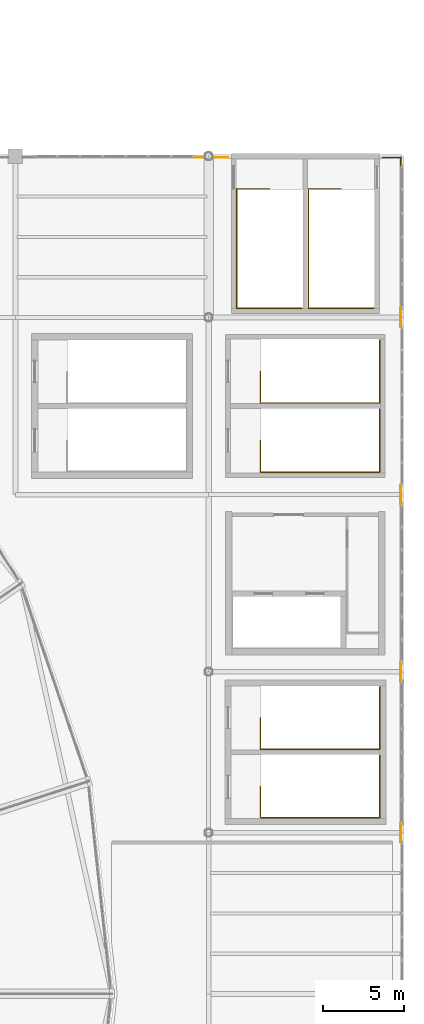
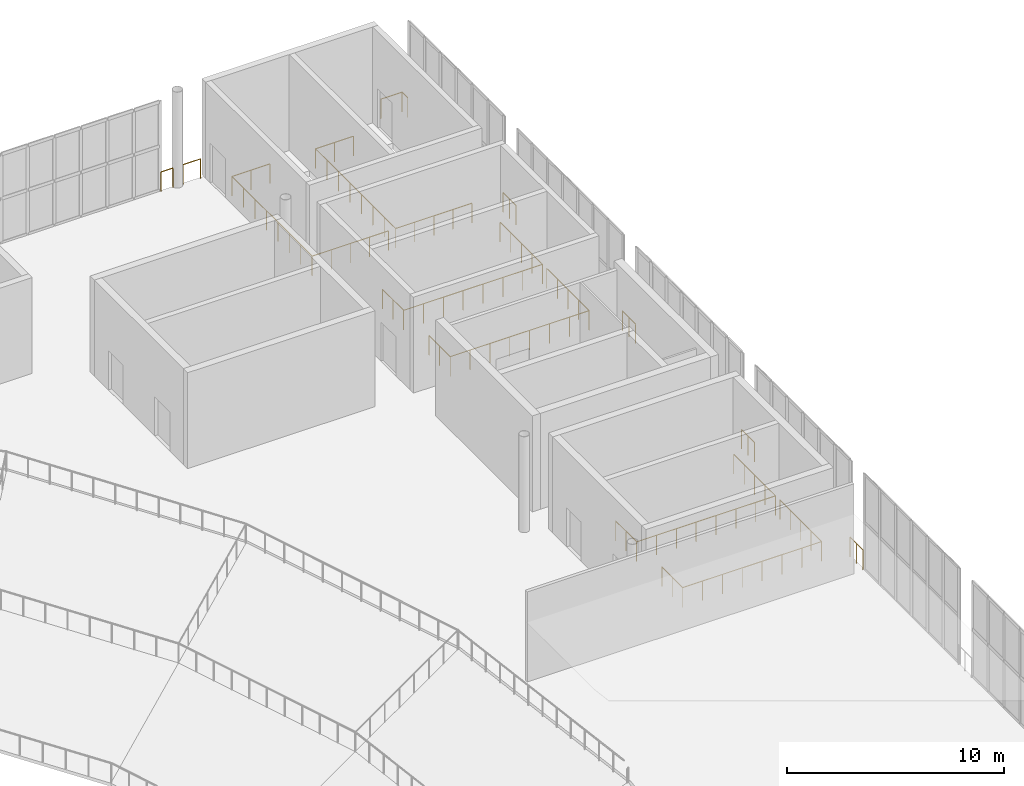
# One storey, part 74 of 74: 13 railings.
"""IFC4 building model written with IfcOpenShell, lengths in metres."""

from ifc_helpers import new_model, si_unit, direction, frame, origin, origin_2d, place, context, subcontext, project, spatial, circle, extrude, material, type_object, element, save


model = new_model("IFC4")

# Units and contexts
model_context = context("Model", 3, precision=1e-05, world=origin(), true_north=direction((0.0, 1.0)))
body_context = subcontext(model_context, "Body", "Model", "MODEL_VIEW")
ifc_project = project(units=[si_unit("LENGTHUNIT", "METRE"), si_unit("AREAUNIT", "SQUARE_METRE"), si_unit("VOLUMEUNIT", "CUBIC_METRE"), si_unit("PLANEANGLEUNIT", "RADIAN"), si_unit("MASSUNIT", "GRAM", prefix="KILO")], contexts=[model_context])

# Site, building, storey
site_placement = place(None, origin())
site = spatial("IfcSite", under=ifc_project, at=site_placement, CompositionType="ELEMENT")
building_placement = place(site_placement, origin())
building = spatial("IfcBuilding", under=site, at=building_placement, Name="Brinegate Civic Arena", CompositionType="ELEMENT")
storey_placement = place(building_placement, frame((0.0, 0.0, 19.199951171875)))
storey = spatial("IfcBuildingStorey", under=building, at=storey_placement, Name="L04", CompositionType="ELEMENT", Elevation=19.199951171875)

# Railings
ifc_material = material(Name="Architectural stainless steel balustrade", Category="steel")
railing_type_1 = type_object("IfcRailingType", Name="RAIL-STAIR-GUARD-1100", PredefinedType="GUARDRAIL", material=ifc_material)
railing_1_placement = place(storey_placement, frame((159.77490234375, 111.97998046875, 0.0)))
element("IfcRailing", 1, at=railing_1_placement, inside=storey, type_object=railing_type_1, Name="Top Stairwell Edge Guard ST-05A L04", PredefinedType="GUARDRAIL", context=body_context, shape_type="SweptSolid", body=[
    extrude(circle(Radius=0.02392578125, at=origin_2d()), frame((-0.00146484375, 0.0, 1.09619140625), z_axis=(-1.0, 0.0, 0.0), x_axis=(0.0, -1.0, 0.0)), (0.0, 0.0, 1.0), 2.02685546875),
    extrude(circle(Radius=0.02392578125, at=origin_2d()), frame((-2.02978515625, -0.00146484375, 1.09619140625), z_axis=(0.0, -1.0, 0.0), x_axis=(1.0, 0.0, 0.0)), (0.0, 0.0, 1.0), 7.39697265625),
    extrude(circle(Radius=0.02392578125, at=origin_2d()), frame((-2.0283203125, -7.39990234375, 1.09619140625), z_axis=(1.0, 0.0, 0.0), x_axis=(0.0, 1.0, 0.0)), (0.0, 0.0, 1.0), 4.056884765625),
    extrude(circle(Radius=0.02099609375, at=origin_2d()), origin(), (0.0, 0.0, 1.0), 1.070068359375),
    extrude(circle(Radius=0.02099609375, at=origin_2d()), frame((-1.014892578125, 0.0, 0.0)), (0.0, 0.0, 1.0), 1.070068359375),
    extrude(circle(Radius=0.02099609375, at=origin_2d()), frame((-2.02978515625, 0.0, 0.0)), (0.0, 0.0, 1.0), 1.070068359375),
    extrude(circle(Radius=0.02099609375, at=origin_2d()), frame((-2.02978515625, -1.05712890625, 0.0)), (0.0, 0.0, 1.0), 1.070068359375),
    extrude(circle(Radius=0.02099609375, at=origin_2d()), frame((-2.02978515625, -2.1142578125, 0.0)), (0.0, 0.0, 1.0), 1.070068359375),
    extrude(circle(Radius=0.02099609375, at=origin_2d()), frame((-2.02978515625, -3.17138671875, 0.0)), (0.0, 0.0, 1.0), 1.070068359375),
    extrude(circle(Radius=0.02099609375, at=origin_2d()), frame((-2.02978515625, -4.228515625, 0.0)), (0.0, 0.0, 1.0), 1.070068359375),
    extrude(circle(Radius=0.02099609375, at=origin_2d()), frame((-2.02978515625, -5.28564453125, 0.0)), (0.0, 0.0, 1.0), 1.070068359375),
    extrude(circle(Radius=0.02099609375, at=origin_2d()), frame((-2.02978515625, -6.3427734375, 0.0)), (0.0, 0.0, 1.0), 1.070068359375),
    extrude(circle(Radius=0.02099609375, at=origin_2d()), frame((-2.02978515625, -7.39990234375, 0.0)), (0.0, 0.0, 1.0), 1.070068359375),
    extrude(circle(Radius=0.02099609375, at=origin_2d()), frame((-1.014892578125, -7.39990234375, 0.0)), (0.0, 0.0, 1.0), 1.070068359375),
    extrude(circle(Radius=0.02099609375, at=origin_2d()), frame((0.0, -7.39990234375, 0.0)), (0.0, 0.0, 1.0), 1.070068359375),
    extrude(circle(Radius=0.02099609375, at=origin_2d()), frame((1.01513671875, -7.39990234375, 0.0)), (0.0, 0.0, 1.0), 1.070068359375),
    extrude(circle(Radius=0.02099609375, at=origin_2d()), frame((2.030029296875, -7.39990234375, 0.0)), (0.0, 0.0, 1.0), 1.070068359375),
])
railing_2_placement = place(storey_placement, frame((164.22509765625, 111.97998046875, 0.0)))
element("IfcRailing", 2, at=railing_2_placement, inside=storey, type_object=railing_type_1, Name="Top Stairwell Edge Guard ST-05B L04", PredefinedType="GUARDRAIL", context=body_context, shape_type="SweptSolid", body=[
    extrude(circle(Radius=0.02392578125, at=origin_2d()), frame((-0.00146484375, 0.0, 1.09619140625), z_axis=(-1.0, 0.0, 0.0), x_axis=(0.0, -1.0, 0.0)), (0.0, 0.0, 1.0), 2.027099609375),
    extrude(circle(Radius=0.02392578125, at=origin_2d()), frame((-2.030029296875, -0.00146484375, 1.09619140625), z_axis=(0.0, -1.0, 0.0), x_axis=(1.0, 0.0, 0.0)), (0.0, 0.0, 1.0), 7.39697265625),
    extrude(circle(Radius=0.02392578125, at=origin_2d()), frame((-2.028564453125, -7.39990234375, 1.09619140625), z_axis=(1.0, 0.0, 0.0), x_axis=(0.0, 1.0, 0.0)), (0.0, 0.0, 1.0), 4.056884765625),
    extrude(circle(Radius=0.02099609375, at=origin_2d()), origin(), (0.0, 0.0, 1.0), 1.070068359375),
    extrude(circle(Radius=0.02099609375, at=origin_2d()), frame((-1.01513671875, 0.0, 0.0)), (0.0, 0.0, 1.0), 1.070068359375),
    extrude(circle(Radius=0.02099609375, at=origin_2d()), frame((-2.030029296875, 0.0, 0.0)), (0.0, 0.0, 1.0), 1.070068359375),
    extrude(circle(Radius=0.02099609375, at=origin_2d()), frame((-2.030029296875, -1.05712890625, 0.0)), (0.0, 0.0, 1.0), 1.070068359375),
    extrude(circle(Radius=0.02099609375, at=origin_2d()), frame((-2.030029296875, -2.1142578125, 0.0)), (0.0, 0.0, 1.0), 1.070068359375),
    extrude(circle(Radius=0.02099609375, at=origin_2d()), frame((-2.030029296875, -3.17138671875, 0.0)), (0.0, 0.0, 1.0), 1.070068359375),
    extrude(circle(Radius=0.02099609375, at=origin_2d()), frame((-2.030029296875, -4.228515625, 0.0)), (0.0, 0.0, 1.0), 1.070068359375),
    extrude(circle(Radius=0.02099609375, at=origin_2d()), frame((-2.030029296875, -5.28564453125, 0.0)), (0.0, 0.0, 1.0), 1.070068359375),
    extrude(circle(Radius=0.02099609375, at=origin_2d()), frame((-2.030029296875, -6.3427734375, 0.0)), (0.0, 0.0, 1.0), 1.070068359375),
    extrude(circle(Radius=0.02099609375, at=origin_2d()), frame((-2.030029296875, -7.39990234375, 0.0)), (0.0, 0.0, 1.0), 1.070068359375),
    extrude(circle(Radius=0.02099609375, at=origin_2d()), frame((-1.01513671875, -7.39990234375, 0.0)), (0.0, 0.0, 1.0), 1.070068359375),
    extrude(circle(Radius=0.02099609375, at=origin_2d()), frame((0.0, -7.39990234375, 0.0)), (0.0, 0.0, 1.0), 1.070068359375),
    extrude(circle(Radius=0.02099609375, at=origin_2d()), frame((1.014892578125, -7.39990234375, 0.0)), (0.0, 0.0, 1.0), 1.070068359375),
    extrude(circle(Radius=0.02099609375, at=origin_2d()), frame((2.02978515625, -7.39990234375, 0.0)), (0.0, 0.0, 1.0), 1.070068359375),
])
railing_3_placement = place(storey_placement, frame((159.219970703125, 74.875, 0.0)))
element("IfcRailing", 3, at=railing_3_placement, inside=storey, type_object=railing_type_1, Name="Top Stairwell Edge Guard ST-09A L04", PredefinedType="GUARDRAIL", context=body_context, shape_type="SweptSolid", body=[
    extrude(circle(Radius=0.02392578125, at=origin_2d()), frame((0.0, -0.00146484375, 1.09619140625), z_axis=(0.0, -1.0, 0.0), x_axis=(1.0, 0.0, 0.0)), (0.0, 0.0, 1.0), 1.927001953125),
    extrude(circle(Radius=0.02392578125, at=origin_2d()), frame((0.00146484375, -1.929931640625, 1.09619140625), z_axis=(1.0, 0.0, 0.0), x_axis=(0.0, 1.0, 0.0)), (0.0, 0.0, 1.0), 7.397216796875),
    extrude(circle(Radius=0.02392578125, at=origin_2d()), frame((7.400146484375, -1.928466796875, 1.09619140625), z_axis=(0.0, 1.0, 0.0), x_axis=(-1.0, 0.0, 0.0)), (0.0, 0.0, 1.0), 3.85693359375),
    extrude(circle(Radius=0.02099609375, at=origin_2d()), origin(), (0.0, 0.0, 1.0), 1.070068359375),
    extrude(circle(Radius=0.02099609375, at=origin_2d()), frame((0.0, -0.96484375, 0.0)), (0.0, 0.0, 1.0), 1.070068359375),
    extrude(circle(Radius=0.02099609375, at=origin_2d()), frame((0.0, -1.929931640625, 0.0)), (0.0, 0.0, 1.0), 1.070068359375),
    extrude(circle(Radius=0.02099609375, at=origin_2d()), frame((1.05712890625, -1.929931640625, 0.0)), (0.0, 0.0, 1.0), 1.070068359375),
    extrude(circle(Radius=0.02099609375, at=origin_2d()), frame((2.1142578125, -1.929931640625, 0.0)), (0.0, 0.0, 1.0), 1.070068359375),
    extrude(circle(Radius=0.02099609375, at=origin_2d()), frame((3.17138671875, -1.929931640625, 0.0)), (0.0, 0.0, 1.0), 1.070068359375),
    extrude(circle(Radius=0.02099609375, at=origin_2d()), frame((4.228759765625, -1.929931640625, 0.0)), (0.0, 0.0, 1.0), 1.070068359375),
    extrude(circle(Radius=0.02099609375, at=origin_2d()), frame((5.285888671875, -1.929931640625, 0.0)), (0.0, 0.0, 1.0), 1.070068359375),
    extrude(circle(Radius=0.02099609375, at=origin_2d()), frame((6.343017578125, -1.929931640625, 0.0)), (0.0, 0.0, 1.0), 1.070068359375),
    extrude(circle(Radius=0.02099609375, at=origin_2d()), frame((7.400146484375, -1.929931640625, 0.0)), (0.0, 0.0, 1.0), 1.070068359375),
    extrude(circle(Radius=0.02099609375, at=origin_2d()), frame((7.400146484375, -0.96484375, 0.0)), (0.0, 0.0, 1.0), 1.070068359375),
    extrude(circle(Radius=0.02099609375, at=origin_2d()), frame((7.400146484375, 0.0, 0.0)), (0.0, 0.0, 1.0), 1.070068359375),
    extrude(circle(Radius=0.02099609375, at=origin_2d()), frame((7.400146484375, 0.96484375, 0.0)), (0.0, 0.0, 1.0), 1.070068359375),
    extrude(circle(Radius=0.02099609375, at=origin_2d()), frame((7.400146484375, 1.929931640625, 0.0)), (0.0, 0.0, 1.0), 1.070068359375),
])
railing_4_placement = place(storey_placement, frame((159.219970703125, 79.125, 0.0)))
element("IfcRailing", 4, at=railing_4_placement, inside=storey, type_object=railing_type_1, Name="Top Stairwell Edge Guard ST-09B L04", PredefinedType="GUARDRAIL", context=body_context, shape_type="SweptSolid", body=[
    extrude(circle(Radius=0.02392578125, at=origin_2d()), frame((0.0, -0.00146484375, 1.09619140625), z_axis=(0.0, -1.0, 0.0), x_axis=(1.0, 0.0, 0.0)), (0.0, 0.0, 1.0), 1.927001953125),
    extrude(circle(Radius=0.02392578125, at=origin_2d()), frame((0.00146484375, -1.929931640625, 1.09619140625), z_axis=(1.0, 0.0, 0.0), x_axis=(0.0, 1.0, 0.0)), (0.0, 0.0, 1.0), 7.397216796875),
    extrude(circle(Radius=0.02392578125, at=origin_2d()), frame((7.400146484375, -1.928466796875, 1.09619140625), z_axis=(0.0, 1.0, 0.0), x_axis=(-1.0, 0.0, 0.0)), (0.0, 0.0, 1.0), 3.85693359375),
    extrude(circle(Radius=0.02099609375, at=origin_2d()), origin(), (0.0, 0.0, 1.0), 1.070068359375),
    extrude(circle(Radius=0.02099609375, at=origin_2d()), frame((0.0, -0.96484375, 0.0)), (0.0, 0.0, 1.0), 1.070068359375),
    extrude(circle(Radius=0.02099609375, at=origin_2d()), frame((0.0, -1.929931640625, 0.0)), (0.0, 0.0, 1.0), 1.070068359375),
    extrude(circle(Radius=0.02099609375, at=origin_2d()), frame((1.05712890625, -1.929931640625, 0.0)), (0.0, 0.0, 1.0), 1.070068359375),
    extrude(circle(Radius=0.02099609375, at=origin_2d()), frame((2.1142578125, -1.929931640625, 0.0)), (0.0, 0.0, 1.0), 1.070068359375),
    extrude(circle(Radius=0.02099609375, at=origin_2d()), frame((3.17138671875, -1.929931640625, 0.0)), (0.0, 0.0, 1.0), 1.070068359375),
    extrude(circle(Radius=0.02099609375, at=origin_2d()), frame((4.228759765625, -1.929931640625, 0.0)), (0.0, 0.0, 1.0), 1.070068359375),
    extrude(circle(Radius=0.02099609375, at=origin_2d()), frame((5.285888671875, -1.929931640625, 0.0)), (0.0, 0.0, 1.0), 1.070068359375),
    extrude(circle(Radius=0.02099609375, at=origin_2d()), frame((6.343017578125, -1.929931640625, 0.0)), (0.0, 0.0, 1.0), 1.070068359375),
    extrude(circle(Radius=0.02099609375, at=origin_2d()), frame((7.400146484375, -1.929931640625, 0.0)), (0.0, 0.0, 1.0), 1.070068359375),
    extrude(circle(Radius=0.02099609375, at=origin_2d()), frame((7.400146484375, -0.96484375, 0.0)), (0.0, 0.0, 1.0), 1.070068359375),
    extrude(circle(Radius=0.02099609375, at=origin_2d()), frame((7.400146484375, 0.0, 0.0)), (0.0, 0.0, 1.0), 1.070068359375),
    extrude(circle(Radius=0.02099609375, at=origin_2d()), frame((7.400146484375, 0.96484375, 0.0)), (0.0, 0.0, 1.0), 1.070068359375),
    extrude(circle(Radius=0.02099609375, at=origin_2d()), frame((7.400146484375, 1.929931640625, 0.0)), (0.0, 0.0, 1.0), 1.070068359375),
])
railing_5_placement = place(storey_placement, frame((159.219970703125, 96.35009765625, 0.0)))
element("IfcRailing", 5, at=railing_5_placement, inside=storey, type_object=railing_type_1, Name="Top Stairwell Edge Guard ST-20A L04", PredefinedType="GUARDRAIL", context=body_context, shape_type="SweptSolid", body=[
    extrude(circle(Radius=0.02392578125, at=origin_2d()), frame((0.0, -0.00146484375, 1.09619140625), z_axis=(0.0, -1.0, 0.0), x_axis=(1.0, 0.0, 0.0)), (0.0, 0.0, 1.0), 1.9521484375),
    extrude(circle(Radius=0.02392578125, at=origin_2d()), frame((0.00146484375, -1.955078125, 1.09619140625), z_axis=(1.0, 0.0, 0.0), x_axis=(0.0, 1.0, 0.0)), (0.0, 0.0, 1.0), 7.397216796875),
    extrude(circle(Radius=0.02392578125, at=origin_2d()), frame((7.400146484375, -1.95361328125, 1.09619140625), z_axis=(0.0, 1.0, 0.0), x_axis=(-1.0, 0.0, 0.0)), (0.0, 0.0, 1.0), 3.906982421875),
    extrude(circle(Radius=0.02099609375, at=origin_2d()), origin(), (0.0, 0.0, 1.0), 1.070068359375),
    extrude(circle(Radius=0.02099609375, at=origin_2d()), frame((0.0, -0.9775390625, 0.0)), (0.0, 0.0, 1.0), 1.070068359375),
    extrude(circle(Radius=0.02099609375, at=origin_2d()), frame((0.0, -1.955078125, 0.0)), (0.0, 0.0, 1.0), 1.070068359375),
    extrude(circle(Radius=0.02099609375, at=origin_2d()), frame((1.05712890625, -1.955078125, 0.0)), (0.0, 0.0, 1.0), 1.070068359375),
    extrude(circle(Radius=0.02099609375, at=origin_2d()), frame((2.1142578125, -1.955078125, 0.0)), (0.0, 0.0, 1.0), 1.070068359375),
    extrude(circle(Radius=0.02099609375, at=origin_2d()), frame((3.17138671875, -1.955078125, 0.0)), (0.0, 0.0, 1.0), 1.070068359375),
    extrude(circle(Radius=0.02099609375, at=origin_2d()), frame((4.228759765625, -1.955078125, 0.0)), (0.0, 0.0, 1.0), 1.070068359375),
    extrude(circle(Radius=0.02099609375, at=origin_2d()), frame((5.285888671875, -1.955078125, 0.0)), (0.0, 0.0, 1.0), 1.070068359375),
    extrude(circle(Radius=0.02099609375, at=origin_2d()), frame((6.343017578125, -1.955078125, 0.0)), (0.0, 0.0, 1.0), 1.070068359375),
    extrude(circle(Radius=0.02099609375, at=origin_2d()), frame((7.400146484375, -1.955078125, 0.0)), (0.0, 0.0, 1.0), 1.070068359375),
    extrude(circle(Radius=0.02099609375, at=origin_2d()), frame((7.400146484375, -0.9775390625, 0.0)), (0.0, 0.0, 1.0), 1.070068359375),
    extrude(circle(Radius=0.02099609375, at=origin_2d()), frame((7.400146484375, 0.0, 0.0)), (0.0, 0.0, 1.0), 1.070068359375),
    extrude(circle(Radius=0.02099609375, at=origin_2d()), frame((7.400146484375, 0.977294921875, 0.0)), (0.0, 0.0, 1.0), 1.070068359375),
    extrude(circle(Radius=0.02099609375, at=origin_2d()), frame((7.400146484375, 1.954833984375, 0.0)), (0.0, 0.0, 1.0), 1.070068359375),
])
railing_6_placement = place(storey_placement, frame((159.219970703125, 100.64990234375, 0.0)))
element("IfcRailing", 6, at=railing_6_placement, inside=storey, type_object=railing_type_1, Name="Top Stairwell Edge Guard ST-20B L04", PredefinedType="GUARDRAIL", context=body_context, shape_type="SweptSolid", body=[
    extrude(circle(Radius=0.02392578125, at=origin_2d()), frame((0.0, -0.00146484375, 1.09619140625), z_axis=(0.0, -1.0, 0.0), x_axis=(1.0, 0.0, 0.0)), (0.0, 0.0, 1.0), 1.951904296875),
    extrude(circle(Radius=0.02392578125, at=origin_2d()), frame((0.00146484375, -1.954833984375, 1.09619140625), z_axis=(1.0, 0.0, 0.0), x_axis=(0.0, 1.0, 0.0)), (0.0, 0.0, 1.0), 7.397216796875),
    extrude(circle(Radius=0.02392578125, at=origin_2d()), frame((7.400146484375, -1.953369140625, 1.09619140625), z_axis=(0.0, 1.0, 0.0), x_axis=(-1.0, 0.0, 0.0)), (0.0, 0.0, 1.0), 3.906982421875),
    extrude(circle(Radius=0.02099609375, at=origin_2d()), origin(), (0.0, 0.0, 1.0), 1.070068359375),
    extrude(circle(Radius=0.02099609375, at=origin_2d()), frame((0.0, -0.9775390625, 0.0)), (0.0, 0.0, 1.0), 1.070068359375),
    extrude(circle(Radius=0.02099609375, at=origin_2d()), frame((0.0, -1.954833984375, 0.0)), (0.0, 0.0, 1.0), 1.070068359375),
    extrude(circle(Radius=0.02099609375, at=origin_2d()), frame((1.05712890625, -1.954833984375, 0.0)), (0.0, 0.0, 1.0), 1.070068359375),
    extrude(circle(Radius=0.02099609375, at=origin_2d()), frame((2.1142578125, -1.954833984375, 0.0)), (0.0, 0.0, 1.0), 1.070068359375),
    extrude(circle(Radius=0.02099609375, at=origin_2d()), frame((3.17138671875, -1.954833984375, 0.0)), (0.0, 0.0, 1.0), 1.070068359375),
    extrude(circle(Radius=0.02099609375, at=origin_2d()), frame((4.228759765625, -1.954833984375, 0.0)), (0.0, 0.0, 1.0), 1.070068359375),
    extrude(circle(Radius=0.02099609375, at=origin_2d()), frame((5.285888671875, -1.954833984375, 0.0)), (0.0, 0.0, 1.0), 1.070068359375),
    extrude(circle(Radius=0.02099609375, at=origin_2d()), frame((6.343017578125, -1.954833984375, 0.0)), (0.0, 0.0, 1.0), 1.070068359375),
    extrude(circle(Radius=0.02099609375, at=origin_2d()), frame((7.400146484375, -1.954833984375, 0.0)), (0.0, 0.0, 1.0), 1.070068359375),
    extrude(circle(Radius=0.02099609375, at=origin_2d()), frame((7.400146484375, -0.977294921875, 0.0)), (0.0, 0.0, 1.0), 1.070068359375),
    extrude(circle(Radius=0.02099609375, at=origin_2d()), frame((7.400146484375, 0.0, 0.0)), (0.0, 0.0, 1.0), 1.070068359375),
    extrude(circle(Radius=0.02099609375, at=origin_2d()), frame((7.400146484375, 0.9775390625, 0.0)), (0.0, 0.0, 1.0), 1.070068359375),
    extrude(circle(Radius=0.02099609375, at=origin_2d()), frame((7.400146484375, 1.955078125, 0.0)), (0.0, 0.0, 1.0), 1.070068359375),
])
railing_type_2 = type_object("IfcRailingType", Name="RAIL-VOID-BALUSTRADE-1120", PredefinedType="BALUSTRADE", material=ifc_material)
railing_7_placement = place(storey_placement, frame((155.091064453125, 113.929931640625, 0.0)))
element("IfcRailing", 7, at=railing_7_placement, inside=storey, type_object=railing_type_2, Name="Deck Edge Balustrade L04-347", PredefinedType="BALUSTRADE", context=body_context, shape_type="SweptSolid", body=[
    extrude(circle(Radius=0.02392578125, at=origin_2d()), frame((0.00146484375, 0.0, 1.09619140625), z_axis=(1.0, 0.0, 0.0), x_axis=(0.0, 1.0, 0.0)), (0.0, 0.0, 1.0), 0.632080078125),
    extrude(circle(Radius=0.02099609375, at=origin_2d()), origin(), (0.0, 0.0, 1.0), 1.070068359375),
    extrude(circle(Radius=0.02099609375, at=origin_2d()), frame((0.635009765625, 0.0, 0.0)), (0.0, 0.0, 1.0), 1.070068359375),
])
railing_8_placement = place(storey_placement, frame((156.27392578125, 113.929931640625, 0.0)))
element("IfcRailing", 8, at=railing_8_placement, inside=storey, type_object=railing_type_2, Name="Deck Edge Balustrade L04-348", PredefinedType="BALUSTRADE", context=body_context, shape_type="SweptSolid", body=[
    extrude(circle(Radius=0.02392578125, at=origin_2d()), frame((0.00146484375, 0.0, 1.09619140625), z_axis=(1.0, 0.0, 0.0), x_axis=(0.0, 1.0, 0.0)), (0.0, 0.0, 1.0), 0.923095703125),
    extrude(circle(Radius=0.02099609375, at=origin_2d()), origin(), (0.0, 0.0, 1.0), 1.070068359375),
    extrude(circle(Radius=0.02099609375, at=origin_2d()), frame((0.926025390625, 0.0, 0.0)), (0.0, 0.0, 1.0), 1.070068359375),
])
railing_9_placement = place(storey_placement, frame((166.800048828125, 113.929931640625, 0.0)))
element("IfcRailing", 9, at=railing_9_placement, inside=storey, type_object=railing_type_2, Name="Deck Edge Balustrade L04-349", PredefinedType="BALUSTRADE", context=body_context, shape_type="SweptSolid", body=[
    extrude(circle(Radius=0.02392578125, at=origin_2d()), frame((0.00146484375, 0.0, 1.09619140625), z_axis=(1.0, 0.0, 0.0), x_axis=(0.0, 1.0, 0.0)), (0.0, 0.0, 1.0), 1.126953125),
    extrude(circle(Radius=0.02392578125, at=origin_2d()), frame((1.1298828125, -0.00146484375, 1.09619140625), z_axis=(0.0, -1.0, 0.0), x_axis=(1.0, 0.0, 0.0)), (0.0, 0.0, 1.0), 0.527099609375),
    extrude(circle(Radius=0.02099609375, at=origin_2d()), origin(), (0.0, 0.0, 1.0), 1.070068359375),
    extrude(circle(Radius=0.02099609375, at=origin_2d()), frame((1.1298828125, 0.0, 0.0)), (0.0, 0.0, 1.0), 1.070068359375),
    extrude(circle(Radius=0.02099609375, at=origin_2d()), frame((1.1298828125, -0.530029296875, 0.0)), (0.0, 0.0, 1.0), 1.070068359375),
])
for number, where, name in (
    (10, (167.929931640625, 104.60009765625, 0.0), "Deck Edge Balustrade L04-350"),
    (11, (167.929931640625, 93.60009765625, 0.0), "Deck Edge Balustrade L04-351"),
    (12, (167.929931640625, 82.60009765625, 0.0), "Deck Edge Balustrade L04-352"),
    (13, (167.929931640625, 72.60009765625, 0.0), "Deck Edge Balustrade L04-353"),
):
    element("IfcRailing", number, at=place(storey_placement, frame(where)), inside=storey, type_object=railing_type_2, Name=name, PredefinedType="BALUSTRADE", context=body_context, shape_type="SweptSolid", body=[
        extrude(circle(Radius=0.02392578125, at=origin_2d()), frame((0.0, -0.00146484375, 1.09619140625), z_axis=(0.0, -1.0, 0.0), x_axis=(1.0, 0.0, 0.0)), (0.0, 0.0, 1.0), 1.197265625),
        extrude(circle(Radius=0.02099609375, at=origin_2d()), origin(), (0.0, 0.0, 1.0), 1.070068359375),
        extrude(circle(Radius=0.02099609375, at=origin_2d()), frame((0.0, -0.60009765625, 0.0)), (0.0, 0.0, 1.0), 1.070068359375),
        extrude(circle(Radius=0.02099609375, at=origin_2d()), frame((0.0, -1.2001953125, 0.0)), (0.0, 0.0, 1.0), 1.070068359375),
    ])

save(model, "model.ifc")
